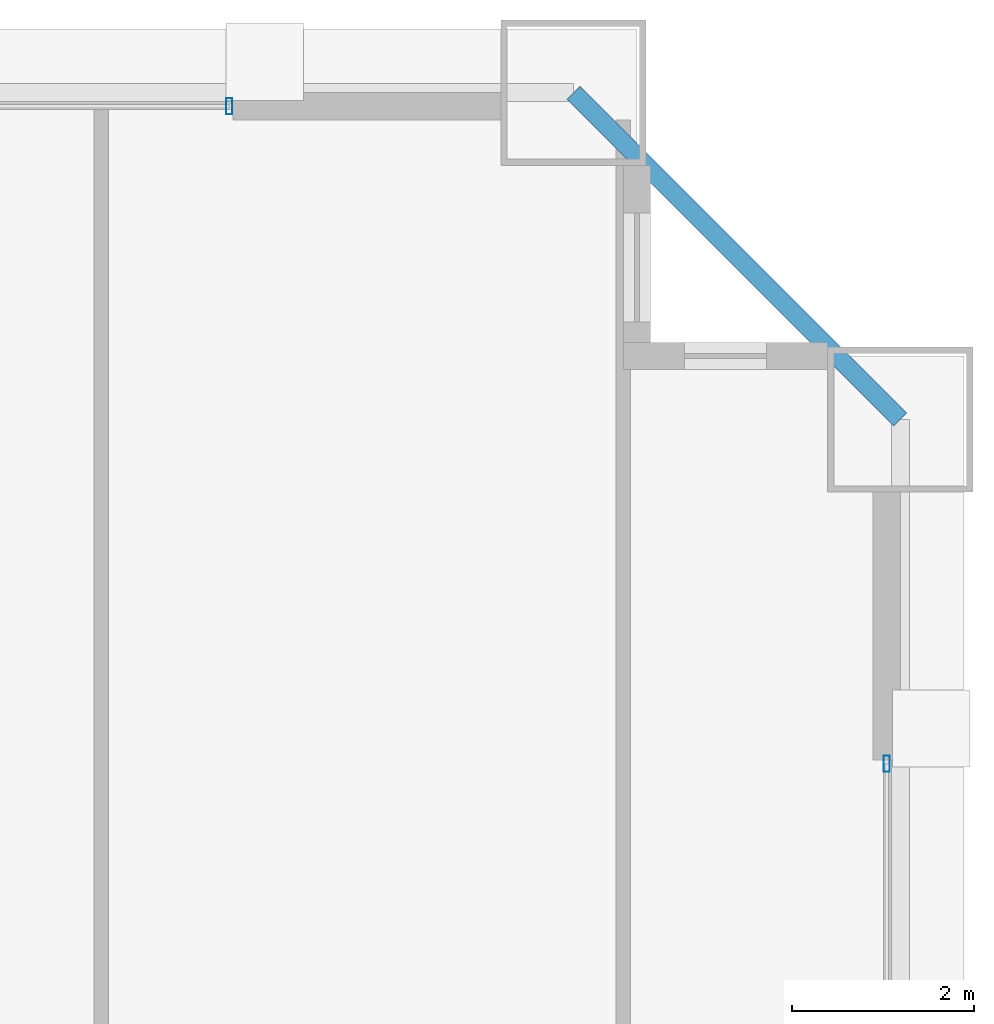
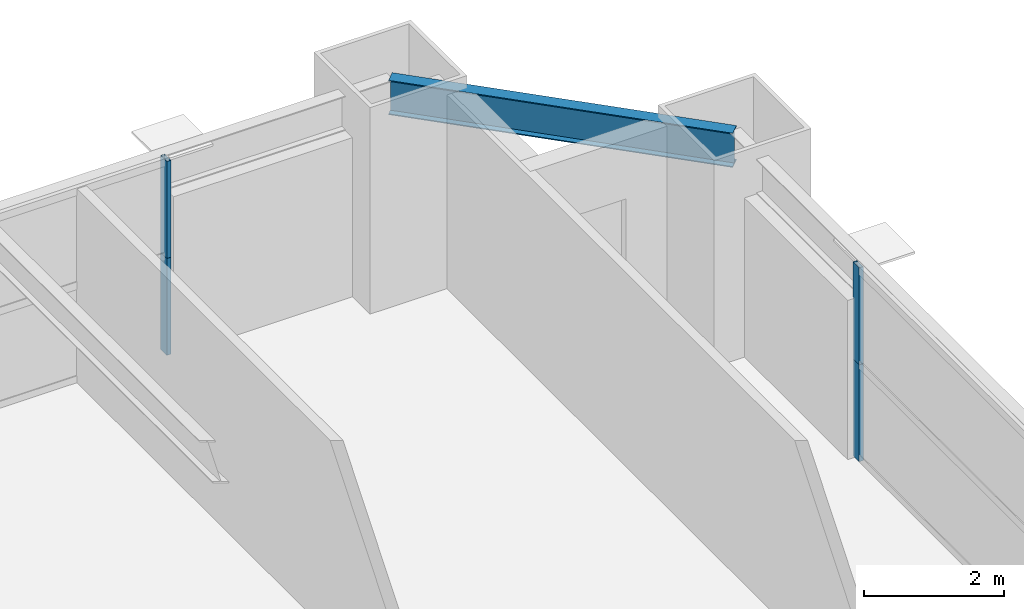
# One storey, part 32 of 38: 4 members, 1 beam, 2 elements without a shape of their own.
"""IFC4 building model written with IfcOpenShell, lengths in metres."""

from ifc_helpers import new_model, si_unit, direction, frame, origin, origin_2d, place, context, subcontext, project, spatial, hollow_rectangle, i_section, extrude, source, transform, mapped, material, layer, layer_set, material_profile, profile_set, type_object, element, aggregate, save


model = new_model("IFC4")

# Units and contexts
model_context = context("Model", 3, precision=1e-05, world=origin(), true_north=direction((0.0, 1.0)))
body_context = subcontext(model_context, "Body", "Model", "MODEL_VIEW")
ifc_project = project(units=[si_unit("LENGTHUNIT", "METRE"), si_unit("AREAUNIT", "SQUARE_METRE"), si_unit("VOLUMEUNIT", "CUBIC_METRE"), si_unit("PLANEANGLEUNIT", "RADIAN"), si_unit("MASSUNIT", "GRAM", prefix="KILO"), si_unit("THERMODYNAMICTEMPERATUREUNIT", "KELVIN"), si_unit("POWERUNIT", "WATT")], contexts=[model_context])

# Site, building, storey
site_placement = place(None, origin())
site = spatial("IfcSite", under=ifc_project, at=site_placement, CompositionType="ELEMENT")
building_placement = place(site_placement, origin())
building = spatial("IfcBuilding", under=site, at=building_placement, Name="Yuzanri Waterfront Tower", CompositionType="ELEMENT")
storey_placement = place(building_placement, frame((0.0, 0.0, 90.199951171875)))
storey = spatial("IfcBuildingStorey", under=building, at=storey_placement, Name="L23", CompositionType="ELEMENT", Elevation=90.199951171875)

# Beam
ifc_material_1 = material(Name="Steel Q355B", Category="steel")
ifc_material_profile_1 = material_profile(ifc_material_1, i_section(OverallWidth=0.199951171875, OverallDepth=0.60009765625, WebThickness=0.010986328125, FlangeThickness=0.01708984375, at=origin_2d()), Name="HN 600x200x11x17")
ifc_profile_set_1 = profile_set([ifc_material_profile_1], Name="Steel Q355B")
beam_type = type_object("IfcBeamType", Name="Perimeter Spandrel Q355B HN 600x200", PredefinedType="SPANDREL", material=ifc_profile_set_1)
shared_shape_1 = source(origin(), body_context, "Body", "SweptSolid", [
    extrude(i_section(OverallWidth=0.199951171875, OverallDepth=0.60009765625, WebThickness=0.010986328125, FlangeThickness=0.01708984375, at=origin_2d()), origin(), (0.0, 0.0, 1.0), 5.091064453125),
])
beam_placement = place(storey_placement, frame((60.60009765625, 45.800048828125, 3.080078125), z_axis=(-0.707130757816, 0.707082803744, 0.0), x_axis=(-0.707082803744, -0.707130757816, 0.0)))
element("IfcBeam", 1, at=beam_placement, inside=storey, type_object=beam_type, Name="L23 Perimeter Spandrel E3-N3", PredefinedType="SPANDREL", context=body_context, shape_type="MappedRepresentation", body=[
    mapped(shared_shape_1, transform((0.0, 0.0, 0.0), scale=1.0)),
])

# Curtain wall, members
ifc_material_2 = material(Name="Anodized Architectural Bronze", Category="metal")
ifc_layer = layer(ifc_material_2, 0.159912109375)
ifc_layer_set = layer_set([ifc_layer], Name="Anodized Architectural Bronze")
curtain_wall_type = type_object("IfcCurtainWallType", Name="Anodized Bronze Hotel Upper-Tier Solar-Control Unitized Curtain Wall 7800", PredefinedType="NOTDEFINED", material=ifc_layer_set)
curtain_wall_1_placement = place(storey_placement, origin())
curtain_wall_1 = element("IfcCurtainWall", 2, at=curtain_wall_1_placement, inside=storey, type_object=curtain_wall_type, Name="L23 Curtain Wall CW-L23-NR", PredefinedType="NOTDEFINED")
ifc_material_3 = material(Name="Anodized Architectural Bronze", Category="metal")
ifc_material_profile_2 = material_profile(ifc_material_3, hollow_rectangle(XDim=0.070068359375, YDim=0.179931640625, WallThickness=0.00390625, at=origin_2d()), Name="CWM 70x180")
ifc_profile_set_2 = profile_set([ifc_material_profile_2], Name="Anodized Architectural Bronze")
member_type = type_object("IfcMemberType", Name="Anodized Bronze Standard Curtain-Wall Mullion 70x180", PredefinedType="MULLION", material=ifc_profile_set_2)
shared_shape_2 = source(origin(), body_context, "Body", "SweptSolid", [
    extrude(hollow_rectangle(XDim=0.070068359375, YDim=0.179931640625, WallThickness=0.00390625, at=origin_2d()), origin(), (0.0, 0.0, 1.0), 1.68798828125),
])
member_1_placement = place(storey_placement, frame((53.2099609375, 49.25, 0.0), z_axis=(0.0, 0.0, 1.0), x_axis=(1.0, 0.0, 0.0)))
member_1 = element("IfcMember", 3, at=member_1_placement, type_object=member_type, Name="CW-L23-NR Lower Mullion 02", PredefinedType="MULLION", context=body_context, shape_type="MappedRepresentation", body=[
    mapped(shared_shape_2, transform((0.0, 0.0, 0.0), scale=1.0)),
])
member_2_placement = place(storey_placement, frame((53.2099609375, 49.25, 1.692138671875), z_axis=(0.0, 0.0, 1.0), x_axis=(1.0, 0.0, 0.0)))
member_2 = element("IfcMember", 4, at=member_2_placement, type_object=member_type, Name="CW-L23-NR Upper Mullion 02", PredefinedType="MULLION", context=body_context, shape_type="MappedRepresentation", body=[
    mapped(shared_shape_2, transform((0.0, 0.0, 0.0), scale=1.0)),
])
aggregate(curtain_wall_1, [member_1, member_2])

curtain_wall_2_placement = place(storey_placement, origin())
curtain_wall_2 = element("IfcCurtainWall", 5, at=curtain_wall_2_placement, inside=storey, type_object=curtain_wall_type, Name="L23 Curtain Wall CW-L23-ER", PredefinedType="NOTDEFINED")
member_3_placement = place(storey_placement, frame((60.449951171875, 42.010009765625, 0.0), z_axis=(0.0, 0.0, 1.0), x_axis=(1.0, 0.0, 0.0)))
member_3 = element("IfcMember", 6, at=member_3_placement, type_object=member_type, Name="CW-L23-ER Lower Mullion 02", PredefinedType="MULLION", context=body_context, shape_type="MappedRepresentation", body=[
    mapped(shared_shape_2, transform((0.0, 0.0, 0.0), scale=1.0)),
])
member_4_placement = place(storey_placement, frame((60.449951171875, 42.010009765625, 1.692138671875), z_axis=(0.0, 0.0, 1.0), x_axis=(1.0, 0.0, 0.0)))
member_4 = element("IfcMember", 7, at=member_4_placement, type_object=member_type, Name="CW-L23-ER Upper Mullion 02", PredefinedType="MULLION", context=body_context, shape_type="MappedRepresentation", body=[
    mapped(shared_shape_2, transform((0.0, 0.0, 0.0), scale=1.0)),
])
aggregate(curtain_wall_2, [member_3, member_4])

save(model, "model.ifc")
